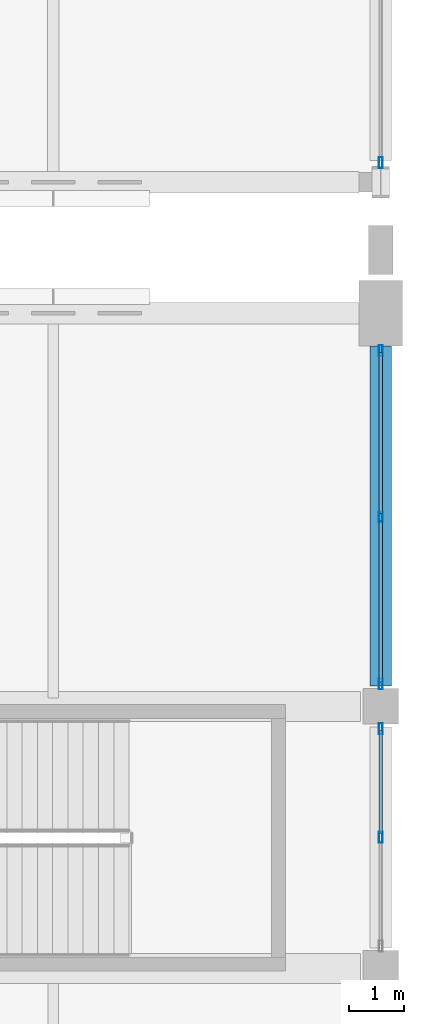
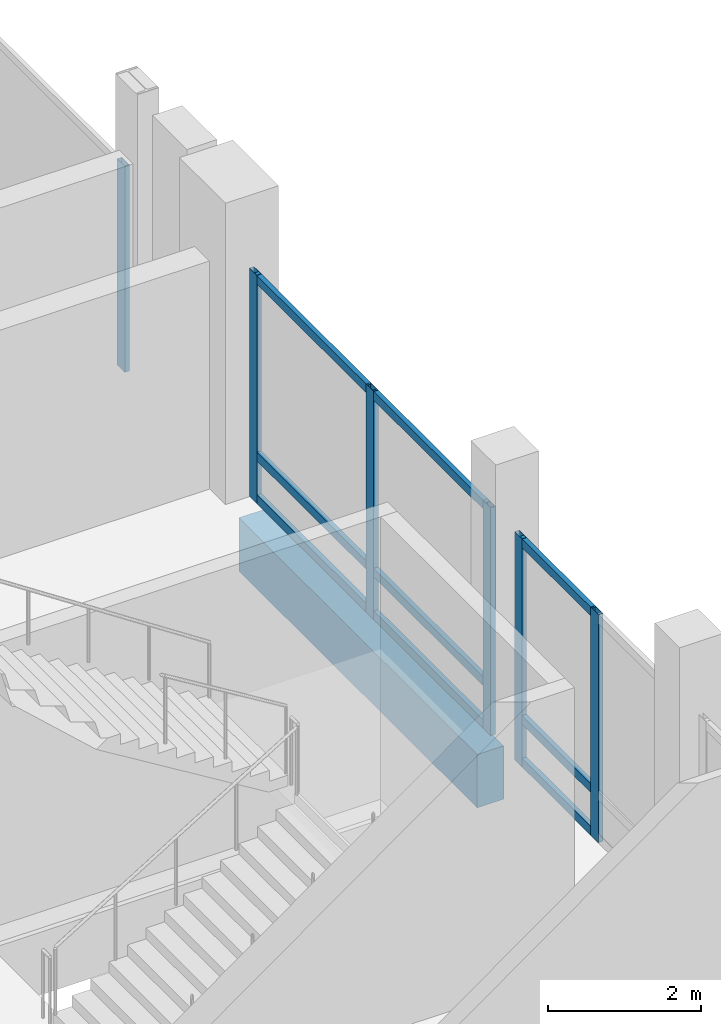
# One storey, part 113 of 220: 15 members, 1 beam, 3 elements without a shape of their own.
"""IFC4 building model written with IfcOpenShell, lengths in metres."""

from ifc_helpers import new_model, si_unit, direction, frame, origin, origin_2d, place, context, subcontext, project, spatial, rectangle, hollow_rectangle, extrude, material, material_profile, profile_set, type_object, element, aggregate, save


model = new_model("IFC4")

# Units and contexts
model_context = context("Model", 3, precision=1e-05, world=origin(), true_north=direction((0.0, 1.0)))
body_context = subcontext(model_context, "Body", "Model", "MODEL_VIEW")
ifc_project = project(units=[si_unit("LENGTHUNIT", "METRE"), si_unit("AREAUNIT", "SQUARE_METRE"), si_unit("VOLUMEUNIT", "CUBIC_METRE"), si_unit("PLANEANGLEUNIT", "RADIAN"), si_unit("MASSUNIT", "GRAM", prefix="KILO")], contexts=[model_context])

# Site, building, storey
site_placement = place(None, origin())
site = spatial("IfcSite", under=ifc_project, at=site_placement, CompositionType="ELEMENT")
building_placement = place(site_placement, origin())
building = spatial("IfcBuilding", under=site, at=building_placement, Name="Cendralis Lancet Convention Centre", CompositionType="ELEMENT")
storey_placement = place(building_placement, frame((0.0, 0.0, 5.39990234375)))
storey = spatial("IfcBuildingStorey", under=building, at=storey_placement, Name="L01", CompositionType="ELEMENT", Elevation=5.39990234375)

# Curtain wall, members
ifc_material_1 = material(Name="Anodised bronze architectural aluminium", Category="aluminium")
curtain_wall_type_1 = type_object("IfcCurtainWallType", Name="ARC-CW-PL01", PredefinedType="USERDEFINED", material=ifc_material_1)
curtain_wall_1_placement = place(storey_placement, origin())
curtain_wall_1 = element("IfcCurtainWall", 1, at=curtain_wall_1_placement, inside=storey, type_object=curtain_wall_type_1, Name="L01 Curtain Wall CW-PL1 #124", ObjectType="CURTAIN WALL", PredefinedType="USERDEFINED")
ifc_material_profile_1 = material_profile(ifc_material_1, hollow_rectangle(XDim=0.070068359375, YDim=0.199951171875, WallThickness=0.0048828125, at=origin_2d()), Name="AL-MULL 70x200x5.0")
ifc_profile_set_1 = profile_set([ifc_material_profile_1], Name="Anodised bronze architectural aluminium")
member_type_1 = type_object("IfcMemberType", Name="ARC-CW-ML02", PredefinedType="MULLION", material=ifc_profile_set_1)
member_1_placement = place(storey_placement, frame((208.800048828125, 83.590087890625, 0.0), z_axis=(0.0, 0.0, 1.0), x_axis=(1.0, 0.0, 0.0)))
member_1 = element("IfcMember", 2, at=member_1_placement, type_object=member_type_1, Name="Mullion CW2-CW-PL1-L01-124-M0", PredefinedType="MULLION", context=body_context, shape_type="SweptSolid", body=[
    extrude(hollow_rectangle(XDim=0.070068359375, YDim=0.199951171875, WallThickness=0.0048828125, at=origin_2d()), origin(), (0.0, 0.0, 1.0), 3.635009765625),
])
member_2_placement = place(storey_placement, frame((208.800048828125, 81.60009765625, 0.0), z_axis=(0.0, 0.0, 1.0), x_axis=(1.0, 0.0, 0.0)))
member_2 = element("IfcMember", 3, at=member_2_placement, type_object=member_type_1, Name="Mullion CW2-CW-PL1-L01-124-M1", PredefinedType="MULLION", context=body_context, shape_type="SweptSolid", body=[
    extrude(hollow_rectangle(XDim=0.070068359375, YDim=0.199951171875, WallThickness=0.0048828125, at=origin_2d()), origin(), (0.0, 0.0, 1.0), 3.635009765625),
])

curtain_wall_2_placement = place(storey_placement, origin())
curtain_wall_2 = element("IfcCurtainWall", 4, at=curtain_wall_2_placement, inside=storey, type_object=curtain_wall_type_1, Name="L01 Curtain Wall CW-PL1 #125", ObjectType="CURTAIN WALL", PredefinedType="USERDEFINED")
member_3_placement = place(storey_placement, frame((208.800048828125, 90.514892578125, 0.0), z_axis=(0.0, 0.0, 1.0), x_axis=(1.0, 0.0, 0.0)))
member_3 = element("IfcMember", 5, at=member_3_placement, type_object=member_type_1, Name="Mullion CW2-CW-PL1-L01-125-M0", PredefinedType="MULLION", context=body_context, shape_type="SweptSolid", body=[
    extrude(hollow_rectangle(XDim=0.070068359375, YDim=0.199951171875, WallThickness=0.0048828125, at=origin_2d()), origin(), (0.0, 0.0, 1.0), 3.635009765625),
])
member_4_placement = place(storey_placement, frame((208.800048828125, 87.46240234375, 0.0), z_axis=(0.0, 0.0, 1.0), x_axis=(1.0, 0.0, 0.0)))
member_4 = element("IfcMember", 6, at=member_4_placement, type_object=member_type_1, Name="Mullion CW2-CW-PL1-L01-125-M1", PredefinedType="MULLION", context=body_context, shape_type="SweptSolid", body=[
    extrude(hollow_rectangle(XDim=0.070068359375, YDim=0.199951171875, WallThickness=0.0048828125, at=origin_2d()), origin(), (0.0, 0.0, 1.0), 3.635009765625),
])
member_5_placement = place(storey_placement, frame((208.800048828125, 84.409912109375, 0.0), z_axis=(0.0, 0.0, 1.0), x_axis=(1.0, 0.0, 0.0)))
member_5 = element("IfcMember", 7, at=member_5_placement, type_object=member_type_1, Name="Mullion CW2-CW-PL1-L01-125-M2", PredefinedType="MULLION", context=body_context, shape_type="SweptSolid", body=[
    extrude(hollow_rectangle(XDim=0.070068359375, YDim=0.199951171875, WallThickness=0.0048828125, at=origin_2d()), origin(), (0.0, 0.0, 1.0), 3.635009765625),
])

# Curtain wall, member
curtain_wall_type_2 = type_object("IfcCurtainWallType", Name="ARC-CW-BL02", PredefinedType="USERDEFINED", material=ifc_material_1)
curtain_wall_3_placement = place(storey_placement, origin())
curtain_wall_3 = element("IfcCurtainWall", 8, at=curtain_wall_3_placement, inside=storey, type_object=curtain_wall_type_2, Name="L01 Curtain Wall CW-BL2 #152", ObjectType="CURTAIN WALL", PredefinedType="USERDEFINED")
member_6_placement = place(storey_placement, frame((208.800048828125, 93.9599609375, 0.0), z_axis=(0.0, 0.0, 1.0), x_axis=(1.0, 0.0, 0.0)))
member_6 = element("IfcMember", 9, at=member_6_placement, type_object=member_type_1, Name="Mullion CW2-CW-BL2-L01-152-M2", PredefinedType="MULLION", context=body_context, shape_type="SweptSolid", body=[
    extrude(hollow_rectangle(XDim=0.070068359375, YDim=0.199951171875, WallThickness=0.0048828125, at=origin_2d()), origin(), (0.0, 0.0, 1.0), 3.28515625),
])
aggregate(curtain_wall_3, [member_6])

# Member
ifc_material_profile_2 = material_profile(ifc_material_1, hollow_rectangle(XDim=0.070068359375, YDim=0.139892578125, WallThickness=0.00390625, at=origin_2d()), Name="AL-TRAN 70x140x4.0")
ifc_profile_set_2 = profile_set([ifc_material_profile_2], Name="Anodised bronze architectural aluminium")
member_type_2 = type_object("IfcMemberType", Name="ARC-CW-TR02", PredefinedType="USERDEFINED", material=ifc_profile_set_2)
member_7_placement = place(storey_placement, frame((208.800048828125, 83.554931640625, 0.070068359375), z_axis=(0.0, -1.0, 0.0), x_axis=(1.0, 0.0, 0.0)))
member_7 = element("IfcMember", 10, at=member_7_placement, type_object=member_type_2, Name="Transom CW2-CW-PL1-L01-124-T0BOT", ObjectType="TRANSOM", PredefinedType="USERDEFINED", context=body_context, shape_type="SweptSolid", body=[
    extrude(hollow_rectangle(XDim=0.070068359375, YDim=0.139892578125, WallThickness=0.00390625, at=origin_2d()), origin(), (0.0, 0.0, 1.0), 1.885009765625),
])

member_8_placement = place(storey_placement, frame((208.800048828125, 83.554931640625, 0.75), z_axis=(0.0, -1.0, 0.0), x_axis=(1.0, 0.0, 0.0)))
member_8 = element("IfcMember", 11, at=member_8_placement, type_object=member_type_2, Name="Transom CW2-CW-PL1-L01-124-T0MID", ObjectType="TRANSOM", PredefinedType="USERDEFINED", context=body_context, shape_type="SweptSolid", body=[
    extrude(hollow_rectangle(XDim=0.070068359375, YDim=0.139892578125, WallThickness=0.00390625, at=origin_2d()), origin(), (0.0, 0.0, 1.0), 1.885009765625),
])

member_9_placement = place(storey_placement, frame((208.800048828125, 83.554931640625, 3.565185546875), z_axis=(0.0, -1.0, 0.0), x_axis=(1.0, 0.0, 0.0)))
member_9 = element("IfcMember", 12, at=member_9_placement, type_object=member_type_2, Name="Transom CW2-CW-PL1-L01-124-T0TOP", ObjectType="TRANSOM", PredefinedType="USERDEFINED", context=body_context, shape_type="SweptSolid", body=[
    extrude(hollow_rectangle(XDim=0.070068359375, YDim=0.139892578125, WallThickness=0.00390625, at=origin_2d()), origin(), (0.0, 0.0, 1.0), 1.885009765625),
])

aggregate(curtain_wall_1, [member_1, member_2, member_7, member_8, member_9])

member_10_placement = place(storey_placement, frame((208.800048828125, 90.47998046875, 0.070068359375), z_axis=(0.0, -1.0, 0.0), x_axis=(1.0, 0.0, 0.0)))
member_10 = element("IfcMember", 13, at=member_10_placement, type_object=member_type_2, Name="Transom CW2-CW-PL1-L01-125-T0BOT", ObjectType="TRANSOM", PredefinedType="USERDEFINED", context=body_context, shape_type="SweptSolid", body=[
    extrude(hollow_rectangle(XDim=0.070068359375, YDim=0.139892578125, WallThickness=0.00390625, at=origin_2d()), origin(), (0.0, 0.0, 1.0), 2.947509765625),
])

member_11_placement = place(storey_placement, frame((208.800048828125, 90.47998046875, 0.75), z_axis=(0.0, -1.0, 0.0), x_axis=(1.0, 0.0, 0.0)))
member_11 = element("IfcMember", 14, at=member_11_placement, type_object=member_type_2, Name="Transom CW2-CW-PL1-L01-125-T0MID", ObjectType="TRANSOM", PredefinedType="USERDEFINED", context=body_context, shape_type="SweptSolid", body=[
    extrude(hollow_rectangle(XDim=0.070068359375, YDim=0.139892578125, WallThickness=0.00390625, at=origin_2d()), origin(), (0.0, 0.0, 1.0), 2.947509765625),
])

member_12_placement = place(storey_placement, frame((208.800048828125, 90.47998046875, 3.565185546875), z_axis=(0.0, -1.0, 0.0), x_axis=(1.0, 0.0, 0.0)))
member_12 = element("IfcMember", 15, at=member_12_placement, type_object=member_type_2, Name="Transom CW2-CW-PL1-L01-125-T0TOP", ObjectType="TRANSOM", PredefinedType="USERDEFINED", context=body_context, shape_type="SweptSolid", body=[
    extrude(hollow_rectangle(XDim=0.070068359375, YDim=0.139892578125, WallThickness=0.00390625, at=origin_2d()), origin(), (0.0, 0.0, 1.0), 2.947509765625),
])

member_13_placement = place(storey_placement, frame((208.800048828125, 87.392578125, 0.070068359375), z_axis=(0.0, -1.0, 0.0), x_axis=(1.0, 0.0, 0.0)))
member_13 = element("IfcMember", 16, at=member_13_placement, type_object=member_type_2, Name="Transom CW2-CW-PL1-L01-125-T1BOT", ObjectType="TRANSOM", PredefinedType="USERDEFINED", context=body_context, shape_type="SweptSolid", body=[
    extrude(hollow_rectangle(XDim=0.070068359375, YDim=0.139892578125, WallThickness=0.00390625, at=origin_2d()), origin(), (0.0, 0.0, 1.0), 2.947509765625),
])

member_14_placement = place(storey_placement, frame((208.800048828125, 87.392578125, 0.75), z_axis=(0.0, -1.0, 0.0), x_axis=(1.0, 0.0, 0.0)))
member_14 = element("IfcMember", 17, at=member_14_placement, type_object=member_type_2, Name="Transom CW2-CW-PL1-L01-125-T1MID", ObjectType="TRANSOM", PredefinedType="USERDEFINED", context=body_context, shape_type="SweptSolid", body=[
    extrude(hollow_rectangle(XDim=0.070068359375, YDim=0.139892578125, WallThickness=0.00390625, at=origin_2d()), origin(), (0.0, 0.0, 1.0), 2.947509765625),
])

member_15_placement = place(storey_placement, frame((208.800048828125, 87.392578125, 3.565185546875), z_axis=(0.0, -1.0, 0.0), x_axis=(1.0, 0.0, 0.0)))
member_15 = element("IfcMember", 18, at=member_15_placement, type_object=member_type_2, Name="Transom CW2-CW-PL1-L01-125-T1TOP", ObjectType="TRANSOM", PredefinedType="USERDEFINED", context=body_context, shape_type="SweptSolid", body=[
    extrude(hollow_rectangle(XDim=0.070068359375, YDim=0.139892578125, WallThickness=0.00390625, at=origin_2d()), origin(), (0.0, 0.0, 1.0), 2.947509765625),
])

aggregate(curtain_wall_2, [member_3, member_4, member_5, member_10, member_11, member_12, member_13, member_14, member_15])

# Beam
ifc_material_2 = material(Name="Concrete G40 (C40/50)", Category="concrete")
ifc_material_profile_3 = material_profile(ifc_material_2, rectangle(XDim=0.39990234375, YDim=0.85009765625, at=origin_2d()), Name="RCB 400x850")
ifc_profile_set_3 = profile_set([ifc_material_profile_3], Name="Concrete G40 (C40/50)")
beam_type = type_object("IfcBeamType", Name="STR-SP-SP02", PredefinedType="SPANDREL", material=ifc_profile_set_3)
beam_placement = place(storey_placement, frame((208.800048828125, 84.375, -0.704833984375), z_axis=(0.0, 1.0, 0.0), x_axis=(-1.0, 0.0, 0.0)))
element("IfcBeam", 19, at=beam_placement, inside=storey, type_object=beam_type, Name="L01 Beam SP02 #1441", PredefinedType="SPANDREL", context=body_context, shape_type="SweptSolid", body=[
    extrude(rectangle(XDim=0.39990234375, YDim=0.85009765625, at=origin_2d()), origin(), (0.0, 0.0, 1.0), 6.22509765625),
])

save(model, "model.ifc")
